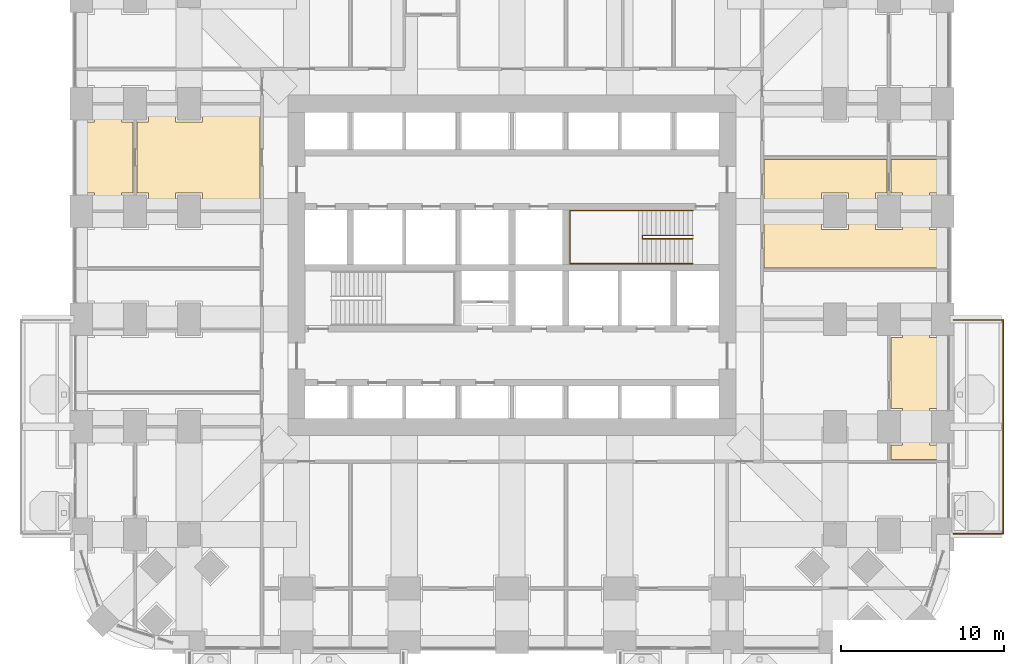
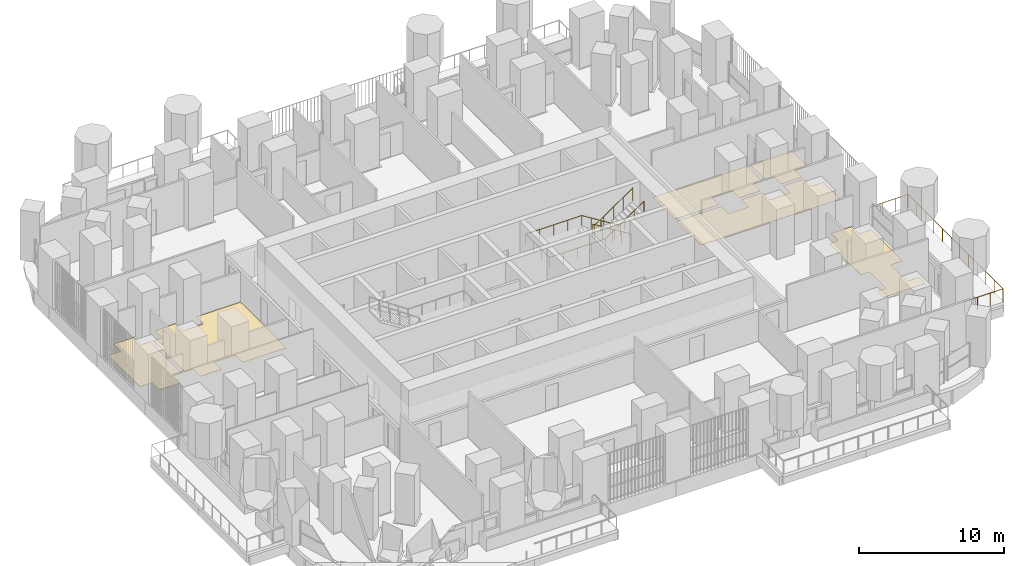
# One storey, part 24 of 27: 6 coverings, 3 railings.
"""IFC4 building model written with IfcOpenShell, lengths in metres."""

from ifc_helpers import new_model, si_unit, direction, frame, origin, place, context, subcontext, project, spatial, polyline, outline, extrude, material, layer, layer_set, type_object, element, save


model = new_model("IFC4")

# Units and contexts
model_context = context("Model", 3, precision=1e-05, world=origin(), true_north=direction((0.0, 1.0)))
body_context = subcontext(model_context, "Body", "Model", "MODEL_VIEW")
ifc_project = project(units=[si_unit("LENGTHUNIT", "METRE"), si_unit("AREAUNIT", "SQUARE_METRE"), si_unit("VOLUMEUNIT", "CUBIC_METRE"), si_unit("PLANEANGLEUNIT", "RADIAN"), si_unit("MASSUNIT", "GRAM", prefix="KILO")], contexts=[model_context])

# Site, building, storey
site_placement = place(None, origin())
site = spatial("IfcSite", under=ifc_project, at=site_placement, CompositionType="ELEMENT")
building_placement = place(site_placement, origin())
building = spatial("IfcBuilding", under=site, at=building_placement, Name="Cobogo Forest Laboratory Tower", CompositionType="ELEMENT")
storey_placement = place(building_placement, frame((0.0, 0.0, 71.699951171875)))
storey = spatial("IfcBuildingStorey", under=building, at=storey_placement, Name="L16", CompositionType="ELEMENT", Elevation=71.699951171875)

# Railing
ifc_material_1 = material(Name="Laminated glass balustrade", Category="glass")
railing_type_1 = type_object("IfcRailingType", Name="BG1 glass balustrade 1100", PredefinedType="GUARDRAIL", material=ifc_material_1)
railing_1_placement = place(storey_placement, frame((53.449951171875, 6.64990234375, 0.0)))
element("IfcRailing", 1, at=railing_1_placement, inside=storey, type_object=railing_type_1, Name="Balcony balustrade BAL-E1 L16", PredefinedType="GUARDRAIL", context=body_context, shape_type="SweptSolid", body=[
    extrude(outline(polyline([(0.022216796875, 0.00927734375), (0.00927734375, 0.022216796875), (-0.00927734375, 0.022216796875), (-0.022216796875, 0.00927734375), (-0.022216796875, -0.00927734375), (-0.00927734375, -0.022216796875), (0.00927734375, -0.022216796875), (0.022216796875, -0.00927734375), (0.022216796875, 0.00927734375)])), frame((0.0, 0.0, 1.077880859375), z_axis=(1.0, 0.0, 0.0), x_axis=(0.0, 1.0, 0.0)), (0.0, 0.0, 1.0), 3.050048828125),
    extrude(outline(polyline([(0.022216796875, 0.00927734375), (0.00927734375, 0.022216796875), (-0.00927734375, 0.022216796875), (-0.022216796875, 0.00927734375), (-0.022216796875, -0.00927734375), (-0.00927734375, -0.022216796875), (0.00927734375, -0.022216796875), (0.022216796875, -0.00927734375), (0.022216796875, 0.00927734375)])), frame((3.050048828125, 0.0, 1.077880859375), z_axis=(0.0, 1.0, 0.0), x_axis=(-1.0, 0.0, 0.0)), (0.0, 0.0, 1.0), 13.10009765625),
    extrude(outline(polyline([(0.022216796875, 0.00927734375), (0.00927734375, 0.022216796875), (-0.00927734375, 0.022216796875), (-0.022216796875, 0.00927734375), (-0.022216796875, -0.00927734375), (-0.00927734375, -0.022216796875), (0.00927734375, -0.022216796875), (0.022216796875, -0.00927734375), (0.022216796875, 0.00927734375)])), frame((3.050048828125, 13.10009765625, 1.077880859375), z_axis=(-1.0, 0.0, 0.0), x_axis=(0.0, -1.0, 0.0)), (0.0, 0.0, 1.0), 3.050048828125),
    extrude(outline(polyline([(0.019287109375, 0.008056640625), (0.008056640625, 0.019287109375), (-0.008056640625, 0.019287109375), (-0.019287109375, 0.008056640625), (-0.019287109375, -0.008056640625), (-0.008056640625, -0.019287109375), (0.008056640625, -0.019287109375), (0.019287109375, -0.008056640625), (0.019287109375, 0.008056640625)])), origin(), (0.0, 0.0, 1.0), 1.077880859375),
    extrude(outline(polyline([(0.019287109375, 0.008056640625), (0.008056640625, 0.019287109375), (-0.008056640625, 0.019287109375), (-0.019287109375, 0.008056640625), (-0.019287109375, -0.008056640625), (-0.008056640625, -0.019287109375), (0.008056640625, -0.019287109375), (0.019287109375, -0.008056640625), (0.019287109375, 0.008056640625)])), frame((1.0166015625, 0.0, 0.0)), (0.0, 0.0, 1.0), 1.077880859375),
    extrude(outline(polyline([(0.019287109375, 0.008056640625), (0.008056640625, 0.019287109375), (-0.008056640625, 0.019287109375), (-0.019287109375, 0.008056640625), (-0.019287109375, -0.008056640625), (-0.008056640625, -0.019287109375), (0.008056640625, -0.019287109375), (0.019287109375, -0.008056640625), (0.019287109375, 0.008056640625)])), frame((2.033447265625, 0.0, 0.0)), (0.0, 0.0, 1.0), 1.077880859375),
    extrude(outline(polyline([(0.019287109375, 0.008056640625), (0.008056640625, 0.019287109375), (-0.008056640625, 0.019287109375), (-0.019287109375, 0.008056640625), (-0.019287109375, -0.008056640625), (-0.008056640625, -0.019287109375), (0.008056640625, -0.019287109375), (0.019287109375, -0.008056640625), (0.019287109375, 0.008056640625)])), frame((3.050048828125, 0.0, 0.0)), (0.0, 0.0, 1.0), 1.077880859375),
    extrude(outline(polyline([(0.019287109375, 0.008056640625), (0.008056640625, 0.019287109375), (-0.008056640625, 0.019287109375), (-0.019287109375, 0.008056640625), (-0.019287109375, -0.008056640625), (-0.008056640625, -0.019287109375), (0.008056640625, -0.019287109375), (0.019287109375, -0.008056640625), (0.019287109375, 0.008056640625)])), frame((3.050048828125, 1.19091796875, 0.0)), (0.0, 0.0, 1.0), 1.077880859375),
    extrude(outline(polyline([(0.019287109375, 0.008056640625), (0.008056640625, 0.019287109375), (-0.008056640625, 0.019287109375), (-0.019287109375, 0.008056640625), (-0.019287109375, -0.008056640625), (-0.008056640625, -0.019287109375), (0.008056640625, -0.019287109375), (0.019287109375, -0.008056640625), (0.019287109375, 0.008056640625)])), frame((3.050048828125, 2.3818359375, 0.0)), (0.0, 0.0, 1.0), 1.077880859375),
    extrude(outline(polyline([(0.019287109375, 0.008056640625), (0.008056640625, 0.019287109375), (-0.008056640625, 0.019287109375), (-0.019287109375, 0.008056640625), (-0.019287109375, -0.008056640625), (-0.008056640625, -0.019287109375), (0.008056640625, -0.019287109375), (0.019287109375, -0.008056640625), (0.019287109375, 0.008056640625)])), frame((3.050048828125, 3.57275390625, 0.0)), (0.0, 0.0, 1.0), 1.077880859375),
    extrude(outline(polyline([(0.019287109375, 0.008056640625), (0.008056640625, 0.019287109375), (-0.008056640625, 0.019287109375), (-0.019287109375, 0.008056640625), (-0.019287109375, -0.008056640625), (-0.008056640625, -0.019287109375), (0.008056640625, -0.019287109375), (0.019287109375, -0.008056640625), (0.019287109375, 0.008056640625)])), frame((3.050048828125, 4.763671875, 0.0)), (0.0, 0.0, 1.0), 1.077880859375),
    extrude(outline(polyline([(0.019287109375, 0.008056640625), (0.008056640625, 0.019287109375), (-0.008056640625, 0.019287109375), (-0.019287109375, 0.008056640625), (-0.019287109375, -0.008056640625), (-0.008056640625, -0.019287109375), (0.008056640625, -0.019287109375), (0.019287109375, -0.008056640625), (0.019287109375, 0.008056640625)])), frame((3.050048828125, 5.95458984375, 0.0)), (0.0, 0.0, 1.0), 1.077880859375),
    extrude(outline(polyline([(0.019287109375, 0.008056640625), (0.008056640625, 0.019287109375), (-0.008056640625, 0.019287109375), (-0.019287109375, 0.008056640625), (-0.019287109375, -0.008056640625), (-0.008056640625, -0.019287109375), (0.008056640625, -0.019287109375), (0.019287109375, -0.008056640625), (0.019287109375, 0.008056640625)])), frame((3.050048828125, 7.1455078125, 0.0)), (0.0, 0.0, 1.0), 1.077880859375),
    extrude(outline(polyline([(0.019287109375, 0.008056640625), (0.008056640625, 0.019287109375), (-0.008056640625, 0.019287109375), (-0.019287109375, 0.008056640625), (-0.019287109375, -0.008056640625), (-0.008056640625, -0.019287109375), (0.008056640625, -0.019287109375), (0.019287109375, -0.008056640625), (0.019287109375, 0.008056640625)])), frame((3.050048828125, 8.33642578125, 0.0)), (0.0, 0.0, 1.0), 1.077880859375),
    extrude(outline(polyline([(0.019287109375, 0.008056640625), (0.008056640625, 0.019287109375), (-0.008056640625, 0.019287109375), (-0.019287109375, 0.008056640625), (-0.019287109375, -0.008056640625), (-0.008056640625, -0.019287109375), (0.008056640625, -0.019287109375), (0.019287109375, -0.008056640625), (0.019287109375, 0.008056640625)])), frame((3.050048828125, 9.52734375, 0.0)), (0.0, 0.0, 1.0), 1.077880859375),
    extrude(outline(polyline([(0.019287109375, 0.008056640625), (0.008056640625, 0.019287109375), (-0.008056640625, 0.019287109375), (-0.019287109375, 0.008056640625), (-0.019287109375, -0.008056640625), (-0.008056640625, -0.019287109375), (0.008056640625, -0.019287109375), (0.019287109375, -0.008056640625), (0.019287109375, 0.008056640625)])), frame((3.050048828125, 10.71826171875, 0.0)), (0.0, 0.0, 1.0), 1.077880859375),
    extrude(outline(polyline([(0.019287109375, 0.008056640625), (0.008056640625, 0.019287109375), (-0.008056640625, 0.019287109375), (-0.019287109375, 0.008056640625), (-0.019287109375, -0.008056640625), (-0.008056640625, -0.019287109375), (0.008056640625, -0.019287109375), (0.019287109375, -0.008056640625), (0.019287109375, 0.008056640625)])), frame((3.050048828125, 11.9091796875, 0.0)), (0.0, 0.0, 1.0), 1.077880859375),
    extrude(outline(polyline([(0.019287109375, 0.008056640625), (0.008056640625, 0.019287109375), (-0.008056640625, 0.019287109375), (-0.019287109375, 0.008056640625), (-0.019287109375, -0.008056640625), (-0.008056640625, -0.019287109375), (0.008056640625, -0.019287109375), (0.019287109375, -0.008056640625), (0.019287109375, 0.008056640625)])), frame((3.050048828125, 13.10009765625, 0.0)), (0.0, 0.0, 1.0), 1.077880859375),
    extrude(outline(polyline([(0.019287109375, 0.008056640625), (0.008056640625, 0.019287109375), (-0.008056640625, 0.019287109375), (-0.019287109375, 0.008056640625), (-0.019287109375, -0.008056640625), (-0.008056640625, -0.019287109375), (0.008056640625, -0.019287109375), (0.019287109375, -0.008056640625), (0.019287109375, 0.008056640625)])), frame((2.033447265625, 13.10009765625, 0.0)), (0.0, 0.0, 1.0), 1.077880859375),
    extrude(outline(polyline([(0.019287109375, 0.008056640625), (0.008056640625, 0.019287109375), (-0.008056640625, 0.019287109375), (-0.019287109375, 0.008056640625), (-0.019287109375, -0.008056640625), (-0.008056640625, -0.019287109375), (0.008056640625, -0.019287109375), (0.019287109375, -0.008056640625), (0.019287109375, 0.008056640625)])), frame((1.0166015625, 13.10009765625, 0.0)), (0.0, 0.0, 1.0), 1.077880859375),
    extrude(outline(polyline([(0.019287109375, 0.008056640625), (0.008056640625, 0.019287109375), (-0.008056640625, 0.019287109375), (-0.019287109375, 0.008056640625), (-0.019287109375, -0.008056640625), (-0.008056640625, -0.019287109375), (0.008056640625, -0.019287109375), (0.019287109375, -0.008056640625), (0.019287109375, 0.008056640625)])), frame((0.0, 13.10009765625, 0.0)), (0.0, 0.0, 1.0), 1.077880859375),
])

# Coverings
ifc_material_2 = material(Name="Carpet tile on raised access floor", Category="flooring")
ifc_layer_1 = layer(ifc_material_2, 0.008056640625)
ifc_layer_set_1 = layer_set([ifc_layer_1], Name="CT1 carpet tile floor 8")
covering_type_1 = type_object("IfcCoveringType", Name="CT1 carpet tile floor 8", PredefinedType="FLOORING", material=ifc_layer_set_1)
covering_1_placement = place(storey_placement, origin())
element("IfcCovering", 2, at=covering_1_placement, inside=storey, type_object=covering_type_1, Name="Carpet floor L16-10", PredefinedType="FLOORING", context=body_context, shape_type="SweptSolid", body=[
    extrude(outline(polyline([(49.6201171875, 12.080078125), (50.320068359375, 12.080078125), (50.320068359375, 14.320068359375), (49.6201171875, 14.320068359375), (49.6201171875, 18.679931640625), (50.320068359375, 18.679931640625), (50.320068359375, 19.679931640625), (51.97998046875, 19.679931640625), (51.97998046875, 18.679931640625), (52.949951171875, 18.679931640625), (52.949951171875, 14.320068359375), (51.97998046875, 14.320068359375), (51.97998046875, 12.080078125), (52.949951171875, 12.080078125), (52.949951171875, 11.195068359375), (49.6201171875, 11.195068359375), (49.6201171875, 12.080078125)])), origin(), (0.0, 0.0, 1.0), 0.008056640625),
])
covering_2_placement = place(storey_placement, origin())
element("IfcCovering", 3, at=covering_2_placement, inside=storey, type_object=covering_type_1, Name="Carpet floor L16-14", PredefinedType="FLOORING", context=body_context, shape_type="SweptSolid", body=[
    extrude(outline(polyline([(49.6201171875, 29.580078125), (52.949951171875, 29.580078125), (52.949951171875, 27.52001953125), (51.97998046875, 27.52001953125), (51.97998046875, 26.52001953125), (50.320068359375, 26.52001953125), (50.320068359375, 27.52001953125), (49.6201171875, 27.52001953125), (49.6201171875, 29.580078125)])), origin(), (0.0, 0.0, 1.0), 0.008056640625),
])
covering_3_placement = place(storey_placement, origin())
element("IfcCovering", 4, at=covering_3_placement, inside=storey, type_object=covering_type_1, Name="Carpet floor L16-38", PredefinedType="FLOORING", context=body_context, shape_type="SweptSolid", body=[
    extrude(outline(polyline([(3.179931640625, 27.52001953125), (2.47998046875, 27.52001953125), (2.47998046875, 26.52001953125), (0.820068359375, 26.52001953125), (0.820068359375, 27.52001953125), (-0.14990234375, 27.52001953125), (-0.14990234375, 31.8798828125), (0.820068359375, 31.8798828125), (0.820068359375, 32.8798828125), (2.47998046875, 32.8798828125), (2.47998046875, 31.8798828125), (3.179931640625, 31.8798828125), (3.179931640625, 27.52001953125)])), origin(), (0.0, 0.0, 1.0), 0.008056640625),
])

# Railings
ifc_material_3 = material(Name="Steel balustrade", Category="steel")
railing_type_2 = type_object("IfcRailingType", Name="GR stair guard 1100", PredefinedType="GUARDRAIL", material=ifc_material_3)
railing_2_placement = place(storey_placement, frame((37.47509765625, 24.929931640625, 0.175048828125)))
element("IfcRailing", 5, at=railing_2_placement, inside=storey, type_object=railing_type_2, Name="Stair guard ST2 L16", PredefinedType="GUARDRAIL", context=body_context, shape_type="SweptSolid", body=[
    extrude(outline(polyline([(0.022216796875, 0.00927734375), (0.00927734375, 0.022216796875), (-0.00927734375, 0.022216796875), (-0.022216796875, 0.00927734375), (-0.022216796875, -0.00927734375), (-0.00927734375, -0.022216796875), (0.00927734375, -0.022216796875), (0.022216796875, -0.00927734375), (0.022216796875, 0.00927734375)])), frame((0.0, 0.0, 1.077880859375), z_axis=(-0.847998304005, 0.0, 0.529998940003), x_axis=(0.0, -1.0, 0.0)), (0.0, 0.0, 1.0), 3.632080078125),
    extrude(outline(polyline([(0.022216796875, 0.00927734375), (0.00927734375, 0.022216796875), (-0.00927734375, 0.022216796875), (-0.022216796875, 0.00927734375), (-0.022216796875, -0.00927734375), (-0.00927734375, -0.022216796875), (0.00927734375, -0.022216796875), (0.022216796875, -0.00927734375), (0.022216796875, 0.00927734375)])), frame((-3.080078125, 0.0, 3.0029296875), z_axis=(0.0, -1.0, 0.0), x_axis=(1.0, 0.0, 0.0)), (0.0, 0.0, 1.0), 0.2099609375),
    extrude(outline(polyline([(0.022216796875, 0.00927734375), (0.00927734375, 0.022216796875), (-0.00927734375, 0.022216796875), (-0.022216796875, 0.00927734375), (-0.022216796875, -0.00927734375), (-0.00927734375, -0.022216796875), (0.00927734375, -0.022216796875), (0.022216796875, -0.00927734375), (0.022216796875, 0.00927734375)])), frame((-3.080078125, -0.2099609375, 3.0029296875), z_axis=(0.826252282691, 0.0, 0.563300244406), x_axis=(0.0, 1.0, 0.0)), (0.0, 0.0, 1.0), 3.727783203125),
    extrude(outline(polyline([(0.019287109375, 0.008056640625), (0.008056640625, 0.019287109375), (-0.008056640625, 0.019287109375), (-0.019287109375, 0.008056640625), (-0.019287109375, -0.008056640625), (-0.008056640625, -0.019287109375), (0.008056640625, -0.019287109375), (0.019287109375, -0.008056640625), (0.019287109375, 0.008056640625)])), origin(), (0.0, 0.0, 1.0), 1.077880859375),
    extrude(outline(polyline([(0.019287109375, 0.008056640625), (0.008056640625, 0.019287109375), (-0.008056640625, 0.019287109375), (-0.019287109375, 0.008056640625), (-0.019287109375, -0.008056640625), (-0.008056640625, -0.019287109375), (0.008056640625, -0.019287109375), (0.019287109375, -0.008056640625), (0.019287109375, 0.008056640625)])), frame((-0.77001953125, 0.0, 0.481201171875)), (0.0, 0.0, 1.0), 1.077880859375),
    extrude(outline(polyline([(0.019287109375, 0.008056640625), (0.008056640625, 0.019287109375), (-0.008056640625, 0.019287109375), (-0.019287109375, 0.008056640625), (-0.019287109375, -0.008056640625), (-0.008056640625, -0.019287109375), (0.008056640625, -0.019287109375), (0.019287109375, -0.008056640625), (0.019287109375, 0.008056640625)])), frame((-1.5400390625, 0.0, 0.96240234375)), (0.0, 0.0, 1.0), 1.077880859375),
    extrude(outline(polyline([(0.019287109375, 0.008056640625), (0.008056640625, 0.019287109375), (-0.008056640625, 0.019287109375), (-0.019287109375, 0.008056640625), (-0.019287109375, -0.008056640625), (-0.008056640625, -0.019287109375), (0.008056640625, -0.019287109375), (0.019287109375, -0.008056640625), (0.019287109375, 0.008056640625)])), frame((-2.31005859375, 0.0, 1.44384765625)), (0.0, 0.0, 1.0), 1.077880859375),
    extrude(outline(polyline([(0.019287109375, 0.008056640625), (0.008056640625, 0.019287109375), (-0.008056640625, 0.019287109375), (-0.019287109375, 0.008056640625), (-0.019287109375, -0.008056640625), (-0.008056640625, -0.019287109375), (0.008056640625, -0.019287109375), (0.019287109375, -0.008056640625), (0.019287109375, 0.008056640625)])), frame((-3.080078125, 0.0, 1.925048828125)), (0.0, 0.0, 1.0), 1.077880859375),
    extrude(outline(polyline([(0.019287109375, 0.008056640625), (0.008056640625, 0.019287109375), (-0.008056640625, 0.019287109375), (-0.019287109375, 0.008056640625), (-0.019287109375, -0.008056640625), (-0.008056640625, -0.019287109375), (0.008056640625, -0.019287109375), (0.019287109375, -0.008056640625), (0.019287109375, 0.008056640625)])), frame((-3.080078125, -0.2099609375, 1.925048828125)), (0.0, 0.0, 1.0), 1.077880859375),
    extrude(outline(polyline([(0.019287109375, 0.008056640625), (0.008056640625, 0.019287109375), (-0.008056640625, 0.019287109375), (-0.019287109375, 0.008056640625), (-0.019287109375, -0.008056640625), (-0.008056640625, -0.019287109375), (0.008056640625, -0.019287109375), (0.019287109375, -0.008056640625), (0.019287109375, 0.008056640625)])), frame((-2.31005859375, -0.2099609375, 2.449951171875)), (0.0, 0.0, 1.0), 1.077880859375),
    extrude(outline(polyline([(0.019287109375, 0.008056640625), (0.008056640625, 0.019287109375), (-0.008056640625, 0.019287109375), (-0.019287109375, 0.008056640625), (-0.019287109375, -0.008056640625), (-0.008056640625, -0.019287109375), (0.008056640625, -0.019287109375), (0.019287109375, -0.008056640625), (0.019287109375, 0.008056640625)])), frame((-1.5400390625, -0.2099609375, 2.97509765625)), (0.0, 0.0, 1.0), 1.077880859375),
    extrude(outline(polyline([(0.019287109375, 0.008056640625), (0.008056640625, 0.019287109375), (-0.008056640625, 0.019287109375), (-0.019287109375, 0.008056640625), (-0.019287109375, -0.008056640625), (-0.008056640625, -0.019287109375), (0.008056640625, -0.019287109375), (0.019287109375, -0.008056640625), (0.019287109375, 0.008056640625)])), frame((-0.77001953125, -0.2099609375, 3.5)), (0.0, 0.0, 1.0), 1.077880859375),
    extrude(outline(polyline([(0.019287109375, 0.008056640625), (0.008056640625, 0.019287109375), (-0.008056640625, 0.019287109375), (-0.019287109375, 0.008056640625), (-0.019287109375, -0.008056640625), (-0.008056640625, -0.019287109375), (0.008056640625, -0.019287109375), (0.019287109375, -0.008056640625), (0.019287109375, 0.008056640625)])), frame((0.0, -0.2099609375, 4.02490234375)), (0.0, 0.0, 1.0), 1.077880859375),
])
ifc_material_4 = material(Name="Stainless steel handrail", Category="steel")
railing_type_3 = type_object("IfcRailingType", Name="HR handrail 900", PredefinedType="HANDRAIL", material=ifc_material_4)
railing_3_placement = place(storey_placement, frame((37.47509765625, 26.449951171875, 0.175048828125)))
element("IfcRailing", 6, at=railing_3_placement, inside=storey, type_object=railing_type_3, Name="Stair handrail ST2 L16", PredefinedType="HANDRAIL", context=body_context, shape_type="SweptSolid", body=[
    extrude(outline(polyline([(0.022216796875, 0.00927734375), (0.00927734375, 0.022216796875), (-0.00927734375, 0.022216796875), (-0.022216796875, 0.00927734375), (-0.022216796875, -0.00927734375), (-0.00927734375, -0.022216796875), (0.00927734375, -0.022216796875), (0.022216796875, -0.00927734375), (0.022216796875, 0.00927734375)])), frame((0.0, 0.0, 0.877685546875), z_axis=(-0.847998304005, 0.0, 0.529998940003), x_axis=(0.0, -1.0, 0.0)), (0.0, 0.0, 1.0), 3.632080078125),
    extrude(outline(polyline([(0.022216796875, 0.00927734375), (0.00927734375, 0.022216796875), (-0.00927734375, 0.022216796875), (-0.022216796875, 0.00927734375), (-0.022216796875, -0.00927734375), (-0.00927734375, -0.022216796875), (0.00927734375, -0.022216796875), (0.022216796875, -0.00927734375), (0.022216796875, 0.00927734375)])), frame((-3.080078125, 0.0, 2.802734375), z_axis=(-1.0, 0.0, 0.0), x_axis=(0.0, -1.0, 0.0)), (0.0, 0.0, 1.0), 4.445068359375),
    extrude(outline(polyline([(0.022216796875, 0.00927734375), (0.00927734375, 0.022216796875), (-0.00927734375, 0.022216796875), (-0.022216796875, 0.00927734375), (-0.022216796875, -0.00927734375), (-0.00927734375, -0.022216796875), (0.00927734375, -0.022216796875), (0.022216796875, -0.00927734375), (0.022216796875, 0.00927734375)])), frame((-7.525146484375, 0.0, 2.802734375), z_axis=(0.0, -1.0, 0.0), x_axis=(1.0, 0.0, 0.0)), (0.0, 0.0, 1.0), 3.25),
    extrude(outline(polyline([(0.022216796875, 0.00927734375), (0.00927734375, 0.022216796875), (-0.00927734375, 0.022216796875), (-0.022216796875, 0.00927734375), (-0.022216796875, -0.00927734375), (-0.00927734375, -0.022216796875), (0.00927734375, -0.022216796875), (0.022216796875, -0.00927734375), (0.022216796875, 0.00927734375)])), frame((-7.525146484375, -3.25, 2.802734375), z_axis=(1.0, 0.0, 0.0), x_axis=(0.0, 1.0, 0.0)), (0.0, 0.0, 1.0), 4.445068359375),
    extrude(outline(polyline([(0.022216796875, 0.00927734375), (0.00927734375, 0.022216796875), (-0.00927734375, 0.022216796875), (-0.022216796875, 0.00927734375), (-0.022216796875, -0.00927734375), (-0.00927734375, -0.022216796875), (0.00927734375, -0.022216796875), (0.022216796875, -0.00927734375), (0.022216796875, 0.00927734375)])), frame((-3.080078125, -3.25, 2.802734375), z_axis=(0.826252282691, 0.0, 0.563300244406), x_axis=(0.0, 1.0, 0.0)), (0.0, 0.0, 1.0), 3.727783203125),
    extrude(outline(polyline([(0.019287109375, 0.008056640625), (0.008056640625, 0.019287109375), (-0.008056640625, 0.019287109375), (-0.019287109375, 0.008056640625), (-0.019287109375, -0.008056640625), (-0.008056640625, -0.019287109375), (0.008056640625, -0.019287109375), (0.019287109375, -0.008056640625), (0.019287109375, 0.008056640625)])), origin(), (0.0, 0.0, 1.0), 0.877685546875),
    extrude(outline(polyline([(0.019287109375, 0.008056640625), (0.008056640625, 0.019287109375), (-0.008056640625, 0.019287109375), (-0.019287109375, 0.008056640625), (-0.019287109375, -0.008056640625), (-0.008056640625, -0.019287109375), (0.008056640625, -0.019287109375), (0.019287109375, -0.008056640625), (0.019287109375, 0.008056640625)])), frame((-0.77001953125, 0.0, 0.481201171875)), (0.0, 0.0, 1.0), 0.877685546875),
    extrude(outline(polyline([(0.019287109375, 0.008056640625), (0.008056640625, 0.019287109375), (-0.008056640625, 0.019287109375), (-0.019287109375, 0.008056640625), (-0.019287109375, -0.008056640625), (-0.008056640625, -0.019287109375), (0.008056640625, -0.019287109375), (0.019287109375, -0.008056640625), (0.019287109375, 0.008056640625)])), frame((-1.5400390625, 0.0, 0.96240234375)), (0.0, 0.0, 1.0), 0.877685546875),
    extrude(outline(polyline([(0.019287109375, 0.008056640625), (0.008056640625, 0.019287109375), (-0.008056640625, 0.019287109375), (-0.019287109375, 0.008056640625), (-0.019287109375, -0.008056640625), (-0.008056640625, -0.019287109375), (0.008056640625, -0.019287109375), (0.019287109375, -0.008056640625), (0.019287109375, 0.008056640625)])), frame((-2.31005859375, 0.0, 1.44384765625)), (0.0, 0.0, 1.0), 0.877685546875),
    extrude(outline(polyline([(0.019287109375, 0.008056640625), (0.008056640625, 0.019287109375), (-0.008056640625, 0.019287109375), (-0.019287109375, 0.008056640625), (-0.019287109375, -0.008056640625), (-0.008056640625, -0.019287109375), (0.008056640625, -0.019287109375), (0.019287109375, -0.008056640625), (0.019287109375, 0.008056640625)])), frame((-3.080078125, 0.0, 1.925048828125)), (0.0, 0.0, 1.0), 0.877685546875),
    extrude(outline(polyline([(0.019287109375, 0.008056640625), (0.008056640625, 0.019287109375), (-0.008056640625, 0.019287109375), (-0.019287109375, 0.008056640625), (-0.019287109375, -0.008056640625), (-0.008056640625, -0.019287109375), (0.008056640625, -0.019287109375), (0.019287109375, -0.008056640625), (0.019287109375, 0.008056640625)])), frame((-4.19140625, 0.0, 1.925048828125)), (0.0, 0.0, 1.0), 0.877685546875),
    extrude(outline(polyline([(0.019287109375, 0.008056640625), (0.008056640625, 0.019287109375), (-0.008056640625, 0.019287109375), (-0.019287109375, 0.008056640625), (-0.019287109375, -0.008056640625), (-0.008056640625, -0.019287109375), (0.008056640625, -0.019287109375), (0.019287109375, -0.008056640625), (0.019287109375, 0.008056640625)])), frame((-5.302734375, 0.0, 1.925048828125)), (0.0, 0.0, 1.0), 0.877685546875),
    extrude(outline(polyline([(0.019287109375, 0.008056640625), (0.008056640625, 0.019287109375), (-0.008056640625, 0.019287109375), (-0.019287109375, 0.008056640625), (-0.019287109375, -0.008056640625), (-0.008056640625, -0.019287109375), (0.008056640625, -0.019287109375), (0.019287109375, -0.008056640625), (0.019287109375, 0.008056640625)])), frame((-6.413818359375, 0.0, 1.925048828125)), (0.0, 0.0, 1.0), 0.877685546875),
    extrude(outline(polyline([(0.019287109375, 0.008056640625), (0.008056640625, 0.019287109375), (-0.008056640625, 0.019287109375), (-0.019287109375, 0.008056640625), (-0.019287109375, -0.008056640625), (-0.008056640625, -0.019287109375), (0.008056640625, -0.019287109375), (0.019287109375, -0.008056640625), (0.019287109375, 0.008056640625)])), frame((-7.525146484375, 0.0, 1.925048828125)), (0.0, 0.0, 1.0), 0.877685546875),
    extrude(outline(polyline([(0.019287109375, 0.008056640625), (0.008056640625, 0.019287109375), (-0.008056640625, 0.019287109375), (-0.019287109375, 0.008056640625), (-0.019287109375, -0.008056640625), (-0.008056640625, -0.019287109375), (0.008056640625, -0.019287109375), (0.019287109375, -0.008056640625), (0.019287109375, 0.008056640625)])), frame((-7.525146484375, -1.083251953125, 1.925048828125)), (0.0, 0.0, 1.0), 0.877685546875),
    extrude(outline(polyline([(0.019287109375, 0.008056640625), (0.008056640625, 0.019287109375), (-0.008056640625, 0.019287109375), (-0.019287109375, 0.008056640625), (-0.019287109375, -0.008056640625), (-0.008056640625, -0.019287109375), (0.008056640625, -0.019287109375), (0.019287109375, -0.008056640625), (0.019287109375, 0.008056640625)])), frame((-7.525146484375, -2.166748046875, 1.925048828125)), (0.0, 0.0, 1.0), 0.877685546875),
    extrude(outline(polyline([(0.019287109375, 0.008056640625), (0.008056640625, 0.019287109375), (-0.008056640625, 0.019287109375), (-0.019287109375, 0.008056640625), (-0.019287109375, -0.008056640625), (-0.008056640625, -0.019287109375), (0.008056640625, -0.019287109375), (0.019287109375, -0.008056640625), (0.019287109375, 0.008056640625)])), frame((-7.525146484375, -3.25, 1.925048828125)), (0.0, 0.0, 1.0), 0.877685546875),
    extrude(outline(polyline([(0.019287109375, 0.008056640625), (0.008056640625, 0.019287109375), (-0.008056640625, 0.019287109375), (-0.019287109375, 0.008056640625), (-0.019287109375, -0.008056640625), (-0.008056640625, -0.019287109375), (0.008056640625, -0.019287109375), (0.019287109375, -0.008056640625), (0.019287109375, 0.008056640625)])), frame((-6.413818359375, -3.25, 1.925048828125)), (0.0, 0.0, 1.0), 0.877685546875),
    extrude(outline(polyline([(0.019287109375, 0.008056640625), (0.008056640625, 0.019287109375), (-0.008056640625, 0.019287109375), (-0.019287109375, 0.008056640625), (-0.019287109375, -0.008056640625), (-0.008056640625, -0.019287109375), (0.008056640625, -0.019287109375), (0.019287109375, -0.008056640625), (0.019287109375, 0.008056640625)])), frame((-5.302734375, -3.25, 1.925048828125)), (0.0, 0.0, 1.0), 0.877685546875),
    extrude(outline(polyline([(0.019287109375, 0.008056640625), (0.008056640625, 0.019287109375), (-0.008056640625, 0.019287109375), (-0.019287109375, 0.008056640625), (-0.019287109375, -0.008056640625), (-0.008056640625, -0.019287109375), (0.008056640625, -0.019287109375), (0.019287109375, -0.008056640625), (0.019287109375, 0.008056640625)])), frame((-4.19140625, -3.25, 1.925048828125)), (0.0, 0.0, 1.0), 0.877685546875),
    extrude(outline(polyline([(0.019287109375, 0.008056640625), (0.008056640625, 0.019287109375), (-0.008056640625, 0.019287109375), (-0.019287109375, 0.008056640625), (-0.019287109375, -0.008056640625), (-0.008056640625, -0.019287109375), (0.008056640625, -0.019287109375), (0.019287109375, -0.008056640625), (0.019287109375, 0.008056640625)])), frame((-3.080078125, -3.25, 1.925048828125)), (0.0, 0.0, 1.0), 0.877685546875),
    extrude(outline(polyline([(0.019287109375, 0.008056640625), (0.008056640625, 0.019287109375), (-0.008056640625, 0.019287109375), (-0.019287109375, 0.008056640625), (-0.019287109375, -0.008056640625), (-0.008056640625, -0.019287109375), (0.008056640625, -0.019287109375), (0.019287109375, -0.008056640625), (0.019287109375, 0.008056640625)])), frame((-2.31005859375, -3.25, 2.449951171875)), (0.0, 0.0, 1.0), 0.877685546875),
    extrude(outline(polyline([(0.019287109375, 0.008056640625), (0.008056640625, 0.019287109375), (-0.008056640625, 0.019287109375), (-0.019287109375, 0.008056640625), (-0.019287109375, -0.008056640625), (-0.008056640625, -0.019287109375), (0.008056640625, -0.019287109375), (0.019287109375, -0.008056640625), (0.019287109375, 0.008056640625)])), frame((-1.5400390625, -3.25, 2.97509765625)), (0.0, 0.0, 1.0), 0.877685546875),
    extrude(outline(polyline([(0.019287109375, 0.008056640625), (0.008056640625, 0.019287109375), (-0.008056640625, 0.019287109375), (-0.019287109375, 0.008056640625), (-0.019287109375, -0.008056640625), (-0.008056640625, -0.019287109375), (0.008056640625, -0.019287109375), (0.019287109375, -0.008056640625), (0.019287109375, 0.008056640625)])), frame((-0.77001953125, -3.25, 3.5)), (0.0, 0.0, 1.0), 0.877685546875),
    extrude(outline(polyline([(0.019287109375, 0.008056640625), (0.008056640625, 0.019287109375), (-0.008056640625, 0.019287109375), (-0.019287109375, 0.008056640625), (-0.019287109375, -0.008056640625), (-0.008056640625, -0.019287109375), (0.008056640625, -0.019287109375), (0.019287109375, -0.008056640625), (0.019287109375, 0.008056640625)])), frame((0.0, -3.25, 4.02490234375)), (0.0, 0.0, 1.0), 0.877685546875),
])

# Coverings
ifc_material_5 = material(Name="Epoxy resin flooring", Category="flooring")
ifc_layer_2 = layer(ifc_material_5, 0.00390625)
ifc_layer_set_2 = layer_set([ifc_layer_2], Name="LF1 epoxy laboratory floor 4")
covering_type_2 = type_object("IfcCoveringType", Name="LF1 epoxy laboratory floor 4", PredefinedType="FLOORING", material=ifc_layer_set_2)
covering_4_placement = place(storey_placement, origin())
element("IfcCovering", 7, at=covering_4_placement, inside=storey, type_object=covering_type_2, Name="Epoxy laboratory floor L16-13", PredefinedType="FLOORING", context=body_context, shape_type="SweptSolid", body=[
    extrude(outline(polyline([(41.844970703125, 29.580078125), (49.3798828125, 29.580078125), (49.3798828125, 27.52001953125), (48.679931640625, 27.52001953125), (48.679931640625, 26.52001953125), (47.02001953125, 26.52001953125), (47.02001953125, 27.52001953125), (45.3798828125, 27.52001953125), (45.3798828125, 26.52001953125), (41.844970703125, 26.52001953125), (41.844970703125, 29.580078125)])), origin(), (0.0, 0.0, 1.0), 0.004150390625),
])
covering_5_placement = place(storey_placement, origin())
element("IfcCovering", 8, at=covering_5_placement, inside=storey, type_object=covering_type_2, Name="Epoxy laboratory floor L16-37", PredefinedType="FLOORING", context=body_context, shape_type="SweptSolid", body=[
    extrude(outline(polyline([(3.419921875, 31.8798828125), (4.1201171875, 31.8798828125), (4.1201171875, 32.8798828125), (5.780029296875, 32.8798828125), (5.780029296875, 31.8798828125), (7.419921875, 31.8798828125), (7.419921875, 32.8798828125), (10.955078125, 32.8798828125), (10.955078125, 26.52001953125), (7.419921875, 26.52001953125), (7.419921875, 27.52001953125), (5.780029296875, 27.52001953125), (5.780029296875, 26.52001953125), (4.1201171875, 26.52001953125), (4.1201171875, 27.52001953125), (3.419921875, 27.52001953125), (3.419921875, 31.8798828125)])), origin(), (0.0, 0.0, 1.0), 0.004150390625),
])
ifc_material_6 = material(Name="Static-dissipative vinyl flooring", Category="flooring")
ifc_layer_3 = layer(ifc_material_6, 0.0029296875)
ifc_layer_set_3 = layer_set([ifc_layer_3], Name="SD1 static-dissipative vinyl floor 3")
covering_type_3 = type_object("IfcCoveringType", Name="SD1 static-dissipative vinyl floor 3", PredefinedType="FLOORING", material=ifc_layer_set_3)
covering_6_placement = place(storey_placement, origin())
element("IfcCovering", 9, at=covering_6_placement, inside=storey, type_object=covering_type_3, Name="Static-dissipative floor L16-12", PredefinedType="FLOORING", context=body_context, shape_type="SweptSolid", body=[
    extrude(outline(polyline([(41.844970703125, 26.280029296875), (45.3798828125, 26.280029296875), (45.3798828125, 25.280029296875), (47.02001953125, 25.280029296875), (47.02001953125, 26.280029296875), (48.679931640625, 26.280029296875), (48.679931640625, 25.280029296875), (50.320068359375, 25.280029296875), (50.320068359375, 26.280029296875), (51.97998046875, 26.280029296875), (51.97998046875, 25.280029296875), (52.949951171875, 25.280029296875), (52.949951171875, 22.919921875), (41.844970703125, 22.919921875), (41.844970703125, 26.280029296875)])), origin(), (0.0, 0.0, 1.0), 0.0029296875),
])

save(model, "model.ifc")
